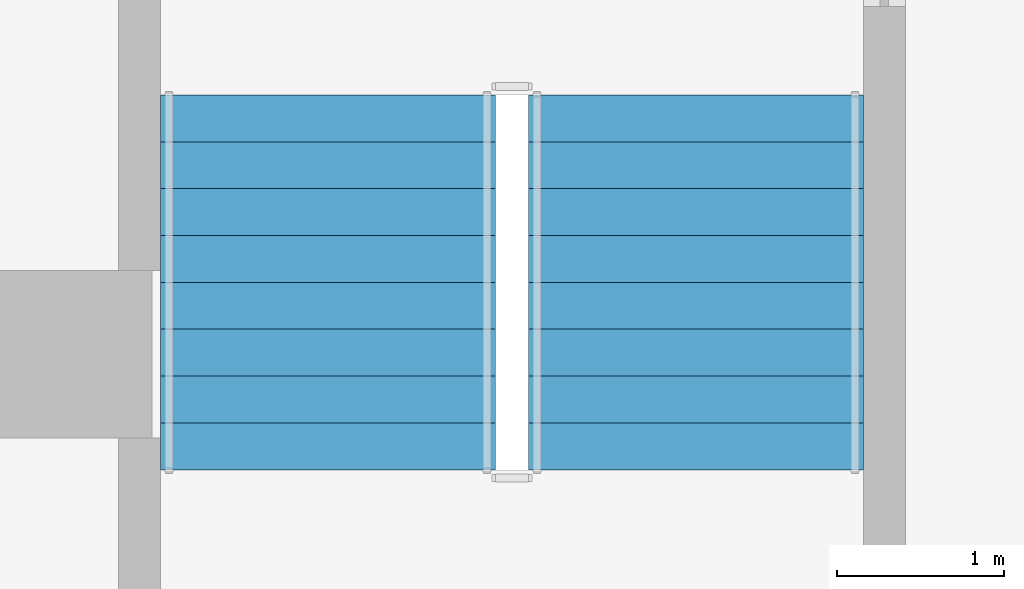
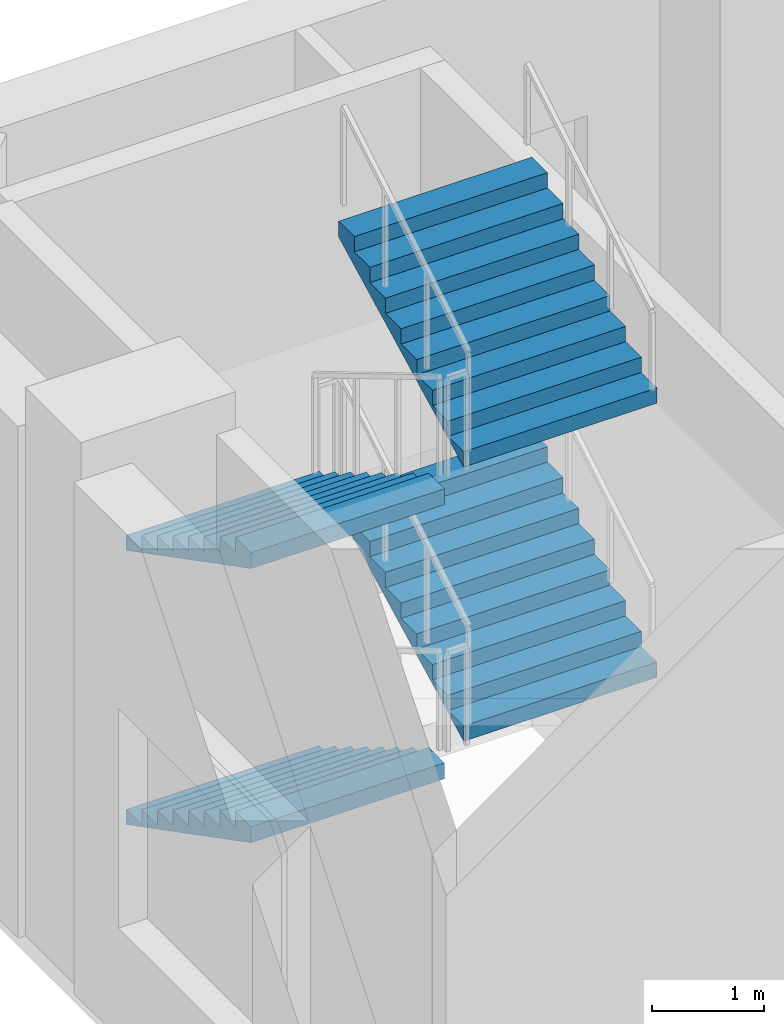
# One storey, part 14 of 19: 4 stair flights, 1 element without a shape of its own.
"""IFC4 building model written with IfcOpenShell, lengths in metres."""

from ifc_helpers import new_model, si_unit, direction, frame, origin, place, context, subcontext, project, spatial, triangles, material, type_object, element, aggregate, save


model = new_model("IFC4")

# Units and contexts
model_context = context("Model", 3, precision=1e-05, world=origin(), true_north=direction((0.0, 1.0)))
body_context = subcontext(model_context, "Body", "Model", "MODEL_VIEW")
ifc_project = project(units=[si_unit("LENGTHUNIT", "METRE"), si_unit("AREAUNIT", "SQUARE_METRE"), si_unit("VOLUMEUNIT", "CUBIC_METRE"), si_unit("PLANEANGLEUNIT", "RADIAN"), si_unit("MASSUNIT", "GRAM", prefix="KILO")], contexts=[model_context])

# Site, building, storey
site_placement = place(None, origin())
site = spatial("IfcSite", under=ifc_project, at=site_placement, CompositionType="ELEMENT")
building_placement = place(site_placement, origin())
building = spatial("IfcBuilding", under=site, at=building_placement, Name="Cypress Arch Tower", CompositionType="ELEMENT")
storey_placement = place(building_placement, frame((0.0, 0.0, 44.0)))
storey = spatial("IfcBuildingStorey", under=building, at=storey_placement, Name="L05", CompositionType="ELEMENT", Elevation=44.0)

# Stair, stair flights
ifc_material_1 = material(Name="Concrete C40/50", Category="concrete")
stair_type = type_object("IfcStairType", Name="Exit stair ES1667-200", PredefinedType="HALF_TURN_STAIR", material=ifc_material_1)
stair_placement = place(storey_placement, origin())
stair = element("IfcStair", 1, at=stair_placement, inside=storey, type_object=stair_type, Name="L05 Exit stair P2", PredefinedType="HALF_TURN_STAIR")
ifc_material_2 = material(Name="Concrete C40/50", Category="concrete")
stair_flight_type = type_object("IfcStairFlightType", Name="Exit stair flight ES1667-200", PredefinedType="STRAIGHT", material=ifc_material_2)
stair_flight_1_placement = place(storey_placement, frame((-36.5, 24.050048828125, 0.0), z_axis=(0.0, 0.0, 1.0), x_axis=(0.0, -1.0, 0.0)))
stair_flight_1 = element("IfcStairFlight", 2, at=stair_flight_1_placement, type_object=stair_flight_type, Name="P2 flight 1", NumberOfRisers=9, NumberOfTreads=8, PredefinedType="STRAIGHT", RiserHeight=0.166666667, TreadLength=0.28, context=body_context, shape_type="Tessellation", body=[
    triangles([(0.0, -1.0, 0.0), (0.000244140625, -1.0, 0.0185546875), (0.000244140625, -1.0, 0.037109375), (0.00048828125, -1.0, 0.0556640625), (0.00048828125, -1.0, 0.07421875), (0.00048828125, -1.0, 0.092529296875), (0.00048828125, -1.0, 0.111083984375), (0.000244140625, -1.0, 0.129638671875), (0.000244140625, -1.0, 0.148193359375), (0.0, -1.0, 0.166748046875), (0.280029296875, -1.0, 0.166748046875), (0.280029296875, -1.0, 0.333251953125), (0.56005859375, -1.0, 0.333251953125), (0.56005859375, -1.0, 0.5), (0.840087890625, -1.0, 0.5), (0.840087890625, -1.0, 0.666748046875), (1.1201171875, -1.0, 0.666748046875), (1.1201171875, -1.0, 0.833251953125), (1.39990234375, -1.0, 0.833251953125), (1.39990234375, -1.0, 1.0), (1.679931640625, -1.0, 1.0), (1.679931640625, -1.0, 1.166748046875), (1.9599609375, -1.0, 1.166748046875), (1.9599609375, -1.0, 1.333251953125), (2.239990234375, -1.0, 1.333251953125), (2.23974609375, -1.0, 1.31396484375), (2.23974609375, -1.0, 1.29443359375), (2.239501953125, -1.0, 1.275146484375), (2.239501953125, -1.0, 1.255859375), (2.239501953125, -1.0, 1.236328125), (2.239501953125, -1.0, 1.217041015625), (2.23974609375, -1.0, 1.19775390625), (2.23974609375, -1.0, 1.17822265625), (2.239990234375, -1.0, 1.158935546875), (2.239990234375, 1.0, 1.158935546875), (2.23974609375, 1.0, 1.17822265625), (2.23974609375, 1.0, 1.19775390625), (2.239501953125, 1.0, 1.217041015625), (2.239501953125, 1.0, 1.236328125), (2.239501953125, 1.0, 1.255859375), (2.239501953125, 1.0, 1.275146484375), (2.23974609375, 1.0, 1.29443359375), (2.23974609375, 1.0, 1.31396484375), (2.239990234375, 1.0, 1.333251953125), (1.9599609375, 1.0, 1.333251953125), (1.9599609375, 1.0, 1.166748046875), (1.679931640625, 1.0, 1.166748046875), (1.679931640625, 1.0, 1.0), (1.39990234375, 1.0, 1.0), (1.39990234375, 1.0, 0.833251953125), (1.1201171875, 1.0, 0.833251953125), (1.1201171875, 1.0, 0.666748046875), (0.840087890625, 1.0, 0.666748046875), (0.840087890625, 1.0, 0.5), (0.56005859375, 1.0, 0.5), (0.56005859375, 1.0, 0.333251953125), (0.280029296875, 1.0, 0.333251953125), (0.280029296875, 1.0, 0.166748046875), (0.0, 1.0, 0.166748046875), (0.000244140625, 1.0, 0.148193359375), (0.000244140625, 1.0, 0.129638671875), (0.00048828125, 1.0, 0.111083984375), (0.00048828125, 1.0, 0.092529296875), (0.00048828125, 1.0, 0.07421875), (0.00048828125, 1.0, 0.0556640625), (0.000244140625, 1.0, 0.037109375), (0.000244140625, 1.0, 0.0185546875), (0.0, 1.0, 0.0), (2.23974609375, 0.0, 1.17822265625), (2.239990234375, 0.0, 1.158935546875), (2.23974609375, 0.0, 1.19775390625), (2.239501953125, 0.0, 1.217041015625), (2.239501953125, 0.0, 1.236328125), (2.239501953125, 0.0, 1.255859375), (2.239501953125, 0.0, 1.275146484375), (2.23974609375, 0.0, 1.29443359375), (2.23974609375, 0.0, 1.31396484375), (2.239990234375, 0.0, 1.333251953125), (1.9599609375, 0.0, 1.333251953125), (1.9599609375, 0.0, 1.166748046875), (1.679931640625, 0.0, 1.166748046875), (1.679931640625, 0.0, 1.0), (1.39990234375, 0.0, 1.0), (1.39990234375, 0.0, 0.833251953125), (1.1201171875, 0.0, 0.833251953125), (1.1201171875, 0.0, 0.666748046875), (0.840087890625, 0.0, 0.666748046875), (0.840087890625, 0.0, 0.5), (0.56005859375, 0.0, 0.5), (0.56005859375, 0.0, 0.333251953125), (0.280029296875, 0.0, 0.333251953125), (0.280029296875, 0.0, 0.166748046875), (0.0, 0.0, 0.166748046875), (0.000244140625, 0.0, 0.148193359375), (0.000244140625, 0.0, 0.129638671875), (0.00048828125, 0.0, 0.111083984375), (0.00048828125, 0.0, 0.092529296875), (0.00048828125, 0.0, 0.07421875), (0.00048828125, 0.0, 0.0556640625), (0.000244140625, 0.0, 0.037109375), (0.000244140625, 0.0, 0.0185546875), (0.0, 0.0, 0.0)], [[34, 33, 24], [33, 32, 24], [32, 31, 24], [31, 30, 24], [30, 29, 24], [29, 28, 24], [28, 27, 24], [27, 26, 24], [26, 25, 24], [23, 22, 21], [21, 20, 19], [17, 16, 15], [15, 14, 13], [10, 9, 11], [9, 8, 11], [8, 7, 11], [7, 6, 11], [6, 5, 11], [5, 4, 11], [4, 3, 11], [3, 2, 11], [2, 1, 11], [19, 18, 17], [13, 12, 11], [34, 24, 23], [34, 23, 21], [34, 21, 19], [34, 19, 17], [34, 17, 15], [34, 15, 13], [1, 34, 13], [13, 11, 1], [35, 45, 36], [36, 45, 37], [37, 45, 38], [38, 45, 39], [39, 45, 40], [40, 45, 41], [41, 45, 42], [42, 45, 43], [43, 45, 44], [46, 48, 47], [48, 50, 49], [52, 54, 53], [54, 56, 55], [59, 58, 60], [60, 58, 61], [61, 58, 62], [62, 58, 63], [63, 58, 64], [64, 58, 65], [65, 58, 66], [66, 58, 67], [67, 58, 68], [50, 52, 51], [56, 58, 57], [35, 46, 45], [35, 48, 46], [35, 50, 48], [35, 52, 50], [35, 54, 52], [35, 56, 54], [68, 56, 35], [56, 68, 58], [70, 69, 33], [70, 33, 34], [35, 36, 69], [35, 69, 70], [69, 71, 32], [69, 32, 33], [36, 37, 71], [36, 71, 69], [71, 72, 31], [71, 31, 32], [37, 38, 72], [37, 72, 71], [72, 73, 30], [72, 30, 31], [38, 39, 73], [38, 73, 72], [73, 74, 29], [73, 29, 30], [39, 40, 74], [39, 74, 73], [74, 75, 28], [74, 28, 29], [40, 41, 75], [40, 75, 74], [75, 76, 27], [75, 27, 28], [41, 42, 76], [41, 76, 75], [76, 77, 26], [76, 26, 27], [42, 43, 77], [42, 77, 76], [77, 78, 25], [77, 25, 26], [43, 44, 78], [43, 78, 77], [78, 79, 24], [78, 24, 25], [44, 45, 79], [44, 79, 78], [79, 80, 23], [79, 23, 24], [45, 46, 80], [45, 80, 79], [80, 81, 22], [80, 22, 23], [46, 47, 81], [46, 81, 80], [81, 82, 21], [81, 21, 22], [47, 48, 82], [47, 82, 81], [82, 83, 20], [82, 20, 21], [48, 49, 83], [48, 83, 82], [83, 84, 19], [83, 19, 20], [49, 50, 84], [49, 84, 83], [84, 85, 18], [84, 18, 19], [50, 51, 85], [50, 85, 84], [85, 86, 17], [85, 17, 18], [51, 52, 86], [51, 86, 85], [86, 87, 16], [86, 16, 17], [52, 53, 87], [52, 87, 86], [87, 88, 15], [87, 15, 16], [53, 54, 88], [53, 88, 87], [88, 89, 14], [88, 14, 15], [54, 55, 89], [54, 89, 88], [89, 90, 13], [89, 13, 14], [55, 56, 90], [55, 90, 89], [90, 91, 12], [90, 12, 13], [56, 57, 91], [56, 91, 90], [91, 92, 11], [91, 11, 12], [57, 58, 92], [57, 92, 91], [92, 93, 10], [92, 10, 11], [58, 59, 93], [58, 93, 92], [93, 94, 9], [93, 9, 10], [59, 60, 94], [59, 94, 93], [94, 95, 8], [94, 8, 9], [60, 61, 95], [60, 95, 94], [95, 96, 7], [95, 7, 8], [61, 62, 96], [61, 96, 95], [96, 97, 6], [96, 6, 7], [62, 63, 97], [62, 97, 96], [97, 98, 5], [97, 5, 6], [63, 64, 98], [63, 98, 97], [98, 99, 4], [98, 4, 5], [64, 65, 99], [64, 99, 98], [99, 100, 3], [99, 3, 4], [65, 66, 100], [65, 100, 99], [100, 101, 2], [100, 2, 3], [66, 67, 101], [66, 101, 100], [101, 102, 1], [101, 1, 2], [67, 68, 102], [67, 102, 101], [102, 70, 34], [102, 34, 1], [68, 35, 70], [68, 70, 102]], closed=True),
])
stair_flight_2_placement = place(storey_placement, frame((-34.300048828125, 21.81005859375, 1.5), z_axis=(0.0, 0.0, 1.0), x_axis=(0.0, 1.0, 0.0)))
stair_flight_2 = element("IfcStairFlight", 3, at=stair_flight_2_placement, type_object=stair_flight_type, Name="P2 flight 2", NumberOfRisers=9, NumberOfTreads=8, PredefinedType="STRAIGHT", RiserHeight=0.166666667, TreadLength=0.28, context=body_context, shape_type="Tessellation", body=[
    triangles([(0.0, -1.0, 0.0), (0.000244140625, -1.0, 0.0185546875), (0.000244140625, -1.0, 0.037109375), (0.00048828125, -1.0, 0.0556640625), (0.00048828125, -1.0, 0.07421875), (0.00048828125, -1.0, 0.092529296875), (0.00048828125, -1.0, 0.111083984375), (0.000244140625, -1.0, 0.129638671875), (0.000244140625, -1.0, 0.148193359375), (0.0, -1.0, 0.166748046875), (0.280029296875, -1.0, 0.166748046875), (0.280029296875, -1.0, 0.333251953125), (0.56005859375, -1.0, 0.333251953125), (0.56005859375, -1.0, 0.5), (0.840087890625, -1.0, 0.5), (0.840087890625, -1.0, 0.666748046875), (1.1201171875, -1.0, 0.666748046875), (1.1201171875, -1.0, 0.833251953125), (1.39990234375, -1.0, 0.833251953125), (1.39990234375, -1.0, 1.0), (1.679931640625, -1.0, 1.0), (1.679931640625, -1.0, 1.166748046875), (1.9599609375, -1.0, 1.166748046875), (1.9599609375, -1.0, 1.333251953125), (2.239990234375, -1.0, 1.333251953125), (2.23974609375, -1.0, 1.31396484375), (2.23974609375, -1.0, 1.29443359375), (2.239501953125, -1.0, 1.275146484375), (2.239501953125, -1.0, 1.255859375), (2.239501953125, -1.0, 1.236328125), (2.239501953125, -1.0, 1.217041015625), (2.23974609375, -1.0, 1.19775390625), (2.23974609375, -1.0, 1.17822265625), (2.239990234375, -1.0, 1.158935546875), (2.239990234375, 1.0, 1.158935546875), (2.23974609375, 1.0, 1.17822265625), (2.23974609375, 1.0, 1.19775390625), (2.239501953125, 1.0, 1.217041015625), (2.239501953125, 1.0, 1.236328125), (2.239501953125, 1.0, 1.255859375), (2.239501953125, 1.0, 1.275146484375), (2.23974609375, 1.0, 1.29443359375), (2.23974609375, 1.0, 1.31396484375), (2.239990234375, 1.0, 1.333251953125), (1.9599609375, 1.0, 1.333251953125), (1.9599609375, 1.0, 1.166748046875), (1.679931640625, 1.0, 1.166748046875), (1.679931640625, 1.0, 1.0), (1.39990234375, 1.0, 1.0), (1.39990234375, 1.0, 0.833251953125), (1.1201171875, 1.0, 0.833251953125), (1.1201171875, 1.0, 0.666748046875), (0.840087890625, 1.0, 0.666748046875), (0.840087890625, 1.0, 0.5), (0.56005859375, 1.0, 0.5), (0.56005859375, 1.0, 0.333251953125), (0.280029296875, 1.0, 0.333251953125), (0.280029296875, 1.0, 0.166748046875), (0.0, 1.0, 0.166748046875), (0.000244140625, 1.0, 0.148193359375), (0.000244140625, 1.0, 0.129638671875), (0.00048828125, 1.0, 0.111083984375), (0.00048828125, 1.0, 0.092529296875), (0.00048828125, 1.0, 0.07421875), (0.00048828125, 1.0, 0.0556640625), (0.000244140625, 1.0, 0.037109375), (0.000244140625, 1.0, 0.0185546875), (0.0, 1.0, 0.0), (2.23974609375, 0.0, 1.17822265625), (2.239990234375, 0.0, 1.158935546875), (2.23974609375, 0.0, 1.19775390625), (2.239501953125, 0.0, 1.217041015625), (2.239501953125, 0.0, 1.236328125), (2.239501953125, 0.0, 1.255859375), (2.239501953125, 0.0, 1.275146484375), (2.23974609375, 0.0, 1.29443359375), (2.23974609375, 0.0, 1.31396484375), (2.239990234375, 0.0, 1.333251953125), (1.9599609375, 0.0, 1.333251953125), (1.9599609375, 0.0, 1.166748046875), (1.679931640625, 0.0, 1.166748046875), (1.679931640625, 0.0, 1.0), (1.39990234375, 0.0, 1.0), (1.39990234375, 0.0, 0.833251953125), (1.1201171875, 0.0, 0.833251953125), (1.1201171875, 0.0, 0.666748046875), (0.840087890625, 0.0, 0.666748046875), (0.840087890625, 0.0, 0.5), (0.56005859375, 0.0, 0.5), (0.56005859375, 0.0, 0.333251953125), (0.280029296875, 0.0, 0.333251953125), (0.280029296875, 0.0, 0.166748046875), (0.0, 0.0, 0.166748046875), (0.000244140625, 0.0, 0.148193359375), (0.000244140625, 0.0, 0.129638671875), (0.00048828125, 0.0, 0.111083984375), (0.00048828125, 0.0, 0.092529296875), (0.00048828125, 0.0, 0.07421875), (0.00048828125, 0.0, 0.0556640625), (0.000244140625, 0.0, 0.037109375), (0.000244140625, 0.0, 0.0185546875), (0.0, 0.0, 0.0)], [[34, 33, 24], [33, 32, 24], [32, 31, 24], [31, 30, 24], [30, 29, 24], [29, 28, 24], [28, 27, 24], [27, 26, 24], [26, 25, 24], [23, 22, 21], [21, 20, 19], [17, 16, 15], [15, 14, 13], [10, 9, 11], [9, 8, 11], [8, 7, 11], [7, 6, 11], [6, 5, 11], [5, 4, 11], [4, 3, 11], [3, 2, 11], [2, 1, 11], [19, 18, 17], [13, 12, 11], [34, 24, 23], [34, 23, 21], [34, 21, 19], [34, 19, 17], [34, 17, 15], [34, 15, 13], [1, 34, 13], [13, 11, 1], [35, 45, 36], [36, 45, 37], [37, 45, 38], [38, 45, 39], [39, 45, 40], [40, 45, 41], [41, 45, 42], [42, 45, 43], [43, 45, 44], [46, 48, 47], [48, 50, 49], [52, 54, 53], [54, 56, 55], [59, 58, 60], [60, 58, 61], [61, 58, 62], [62, 58, 63], [63, 58, 64], [64, 58, 65], [65, 58, 66], [66, 58, 67], [67, 58, 68], [50, 52, 51], [56, 58, 57], [35, 46, 45], [35, 48, 46], [35, 50, 48], [35, 52, 50], [35, 54, 52], [35, 56, 54], [68, 56, 35], [56, 68, 58], [70, 69, 33], [70, 33, 34], [35, 36, 69], [35, 69, 70], [69, 71, 32], [69, 32, 33], [36, 37, 71], [36, 71, 69], [71, 72, 31], [71, 31, 32], [37, 38, 72], [37, 72, 71], [72, 73, 30], [72, 30, 31], [38, 39, 73], [38, 73, 72], [73, 74, 29], [73, 29, 30], [39, 40, 74], [39, 74, 73], [74, 75, 28], [74, 28, 29], [40, 41, 75], [40, 75, 74], [75, 76, 27], [75, 27, 28], [41, 42, 76], [41, 76, 75], [76, 77, 26], [76, 26, 27], [42, 43, 77], [42, 77, 76], [77, 78, 25], [77, 25, 26], [43, 44, 78], [43, 78, 77], [78, 79, 24], [78, 24, 25], [44, 45, 79], [44, 79, 78], [79, 80, 23], [79, 23, 24], [45, 46, 80], [45, 80, 79], [80, 81, 22], [80, 22, 23], [46, 47, 81], [46, 81, 80], [81, 82, 21], [81, 21, 22], [47, 48, 82], [47, 82, 81], [82, 83, 20], [82, 20, 21], [48, 49, 83], [48, 83, 82], [83, 84, 19], [83, 19, 20], [49, 50, 84], [49, 84, 83], [84, 85, 18], [84, 18, 19], [50, 51, 85], [50, 85, 84], [85, 86, 17], [85, 17, 18], [51, 52, 86], [51, 86, 85], [86, 87, 16], [86, 16, 17], [52, 53, 87], [52, 87, 86], [87, 88, 15], [87, 15, 16], [53, 54, 88], [53, 88, 87], [88, 89, 14], [88, 14, 15], [54, 55, 89], [54, 89, 88], [89, 90, 13], [89, 13, 14], [55, 56, 90], [55, 90, 89], [90, 91, 12], [90, 12, 13], [56, 57, 91], [56, 91, 90], [91, 92, 11], [91, 11, 12], [57, 58, 92], [57, 92, 91], [92, 93, 10], [92, 10, 11], [58, 59, 93], [58, 93, 92], [93, 94, 9], [93, 9, 10], [59, 60, 94], [59, 94, 93], [94, 95, 8], [94, 8, 9], [60, 61, 95], [60, 95, 94], [95, 96, 7], [95, 7, 8], [61, 62, 96], [61, 96, 95], [96, 97, 6], [96, 6, 7], [62, 63, 97], [62, 97, 96], [97, 98, 5], [97, 5, 6], [63, 64, 98], [63, 98, 97], [98, 99, 4], [98, 4, 5], [64, 65, 99], [64, 99, 98], [99, 100, 3], [99, 3, 4], [65, 66, 100], [65, 100, 99], [100, 101, 2], [100, 2, 3], [66, 67, 101], [66, 101, 100], [101, 102, 1], [101, 1, 2], [67, 68, 102], [67, 102, 101], [102, 70, 34], [102, 34, 1], [68, 35, 70], [68, 70, 102]], closed=True),
])
stair_flight_3_placement = place(storey_placement, frame((-36.5, 24.050048828125, 3.0), z_axis=(0.0, 0.0, 1.0), x_axis=(0.0, -1.0, 0.0)))
stair_flight_3 = element("IfcStairFlight", 4, at=stair_flight_3_placement, type_object=stair_flight_type, Name="P2 flight 3", NumberOfRisers=9, NumberOfTreads=8, PredefinedType="STRAIGHT", RiserHeight=0.166666667, TreadLength=0.28, context=body_context, shape_type="Tessellation", body=[
    triangles([(0.0, -1.0, 0.0), (0.000244140625, -1.0, 0.0185546875), (0.000244140625, -1.0, 0.037109375), (0.00048828125, -1.0, 0.0556640625), (0.00048828125, -1.0, 0.07421875), (0.00048828125, -1.0, 0.092529296875), (0.00048828125, -1.0, 0.111083984375), (0.000244140625, -1.0, 0.129638671875), (0.000244140625, -1.0, 0.148193359375), (0.0, -1.0, 0.166748046875), (0.280029296875, -1.0, 0.166748046875), (0.280029296875, -1.0, 0.333251953125), (0.56005859375, -1.0, 0.333251953125), (0.56005859375, -1.0, 0.5), (0.840087890625, -1.0, 0.5), (0.840087890625, -1.0, 0.666748046875), (1.1201171875, -1.0, 0.666748046875), (1.1201171875, -1.0, 0.833251953125), (1.39990234375, -1.0, 0.833251953125), (1.39990234375, -1.0, 1.0), (1.679931640625, -1.0, 1.0), (1.679931640625, -1.0, 1.166748046875), (1.9599609375, -1.0, 1.166748046875), (1.9599609375, -1.0, 1.333251953125), (2.239990234375, -1.0, 1.333251953125), (2.23974609375, -1.0, 1.31396484375), (2.23974609375, -1.0, 1.29443359375), (2.239501953125, -1.0, 1.275146484375), (2.239501953125, -1.0, 1.255859375), (2.239501953125, -1.0, 1.236328125), (2.239501953125, -1.0, 1.217041015625), (2.23974609375, -1.0, 1.19775390625), (2.23974609375, -1.0, 1.17822265625), (2.239990234375, -1.0, 1.158935546875), (2.239990234375, 1.0, 1.158935546875), (2.23974609375, 1.0, 1.17822265625), (2.23974609375, 1.0, 1.19775390625), (2.239501953125, 1.0, 1.217041015625), (2.239501953125, 1.0, 1.236328125), (2.239501953125, 1.0, 1.255859375), (2.239501953125, 1.0, 1.275146484375), (2.23974609375, 1.0, 1.29443359375), (2.23974609375, 1.0, 1.31396484375), (2.239990234375, 1.0, 1.333251953125), (1.9599609375, 1.0, 1.333251953125), (1.9599609375, 1.0, 1.166748046875), (1.679931640625, 1.0, 1.166748046875), (1.679931640625, 1.0, 1.0), (1.39990234375, 1.0, 1.0), (1.39990234375, 1.0, 0.833251953125), (1.1201171875, 1.0, 0.833251953125), (1.1201171875, 1.0, 0.666748046875), (0.840087890625, 1.0, 0.666748046875), (0.840087890625, 1.0, 0.5), (0.56005859375, 1.0, 0.5), (0.56005859375, 1.0, 0.333251953125), (0.280029296875, 1.0, 0.333251953125), (0.280029296875, 1.0, 0.166748046875), (0.0, 1.0, 0.166748046875), (0.000244140625, 1.0, 0.148193359375), (0.000244140625, 1.0, 0.129638671875), (0.00048828125, 1.0, 0.111083984375), (0.00048828125, 1.0, 0.092529296875), (0.00048828125, 1.0, 0.07421875), (0.00048828125, 1.0, 0.0556640625), (0.000244140625, 1.0, 0.037109375), (0.000244140625, 1.0, 0.0185546875), (0.0, 1.0, 0.0), (2.23974609375, 0.0, 1.17822265625), (2.239990234375, 0.0, 1.158935546875), (2.23974609375, 0.0, 1.19775390625), (2.239501953125, 0.0, 1.217041015625), (2.239501953125, 0.0, 1.236328125), (2.239501953125, 0.0, 1.255859375), (2.239501953125, 0.0, 1.275146484375), (2.23974609375, 0.0, 1.29443359375), (2.23974609375, 0.0, 1.31396484375), (2.239990234375, 0.0, 1.333251953125), (1.9599609375, 0.0, 1.333251953125), (1.9599609375, 0.0, 1.166748046875), (1.679931640625, 0.0, 1.166748046875), (1.679931640625, 0.0, 1.0), (1.39990234375, 0.0, 1.0), (1.39990234375, 0.0, 0.833251953125), (1.1201171875, 0.0, 0.833251953125), (1.1201171875, 0.0, 0.666748046875), (0.840087890625, 0.0, 0.666748046875), (0.840087890625, 0.0, 0.5), (0.56005859375, 0.0, 0.5), (0.56005859375, 0.0, 0.333251953125), (0.280029296875, 0.0, 0.333251953125), (0.280029296875, 0.0, 0.166748046875), (0.0, 0.0, 0.166748046875), (0.000244140625, 0.0, 0.148193359375), (0.000244140625, 0.0, 0.129638671875), (0.00048828125, 0.0, 0.111083984375), (0.00048828125, 0.0, 0.092529296875), (0.00048828125, 0.0, 0.07421875), (0.00048828125, 0.0, 0.0556640625), (0.000244140625, 0.0, 0.037109375), (0.000244140625, 0.0, 0.0185546875), (0.0, 0.0, 0.0)], [[34, 33, 24], [33, 32, 24], [32, 31, 24], [31, 30, 24], [30, 29, 24], [29, 28, 24], [28, 27, 24], [27, 26, 24], [26, 25, 24], [23, 22, 21], [21, 20, 19], [17, 16, 15], [15, 14, 13], [10, 9, 11], [9, 8, 11], [8, 7, 11], [7, 6, 11], [6, 5, 11], [5, 4, 11], [4, 3, 11], [3, 2, 11], [2, 1, 11], [19, 18, 17], [13, 12, 11], [34, 24, 23], [34, 23, 21], [34, 21, 19], [34, 19, 17], [34, 17, 15], [34, 15, 13], [1, 34, 13], [13, 11, 1], [35, 45, 36], [36, 45, 37], [37, 45, 38], [38, 45, 39], [39, 45, 40], [40, 45, 41], [41, 45, 42], [42, 45, 43], [43, 45, 44], [46, 48, 47], [48, 50, 49], [52, 54, 53], [54, 56, 55], [59, 58, 60], [60, 58, 61], [61, 58, 62], [62, 58, 63], [63, 58, 64], [64, 58, 65], [65, 58, 66], [66, 58, 67], [67, 58, 68], [50, 52, 51], [56, 58, 57], [35, 46, 45], [35, 48, 46], [35, 50, 48], [35, 52, 50], [35, 54, 52], [35, 56, 54], [68, 56, 35], [56, 68, 58], [70, 69, 33], [70, 33, 34], [35, 36, 69], [35, 69, 70], [69, 71, 32], [69, 32, 33], [36, 37, 71], [36, 71, 69], [71, 72, 31], [71, 31, 32], [37, 38, 72], [37, 72, 71], [72, 73, 30], [72, 30, 31], [38, 39, 73], [38, 73, 72], [73, 74, 29], [73, 29, 30], [39, 40, 74], [39, 74, 73], [74, 75, 28], [74, 28, 29], [40, 41, 75], [40, 75, 74], [75, 76, 27], [75, 27, 28], [41, 42, 76], [41, 76, 75], [76, 77, 26], [76, 26, 27], [42, 43, 77], [42, 77, 76], [77, 78, 25], [77, 25, 26], [43, 44, 78], [43, 78, 77], [78, 79, 24], [78, 24, 25], [44, 45, 79], [44, 79, 78], [79, 80, 23], [79, 23, 24], [45, 46, 80], [45, 80, 79], [80, 81, 22], [80, 22, 23], [46, 47, 81], [46, 81, 80], [81, 82, 21], [81, 21, 22], [47, 48, 82], [47, 82, 81], [82, 83, 20], [82, 20, 21], [48, 49, 83], [48, 83, 82], [83, 84, 19], [83, 19, 20], [49, 50, 84], [49, 84, 83], [84, 85, 18], [84, 18, 19], [50, 51, 85], [50, 85, 84], [85, 86, 17], [85, 17, 18], [51, 52, 86], [51, 86, 85], [86, 87, 16], [86, 16, 17], [52, 53, 87], [52, 87, 86], [87, 88, 15], [87, 15, 16], [53, 54, 88], [53, 88, 87], [88, 89, 14], [88, 14, 15], [54, 55, 89], [54, 89, 88], [89, 90, 13], [89, 13, 14], [55, 56, 90], [55, 90, 89], [90, 91, 12], [90, 12, 13], [56, 57, 91], [56, 91, 90], [91, 92, 11], [91, 11, 12], [57, 58, 92], [57, 92, 91], [92, 93, 10], [92, 10, 11], [58, 59, 93], [58, 93, 92], [93, 94, 9], [93, 9, 10], [59, 60, 94], [59, 94, 93], [94, 95, 8], [94, 8, 9], [60, 61, 95], [60, 95, 94], [95, 96, 7], [95, 7, 8], [61, 62, 96], [61, 96, 95], [96, 97, 6], [96, 6, 7], [62, 63, 97], [62, 97, 96], [97, 98, 5], [97, 5, 6], [63, 64, 98], [63, 98, 97], [98, 99, 4], [98, 4, 5], [64, 65, 99], [64, 99, 98], [99, 100, 3], [99, 3, 4], [65, 66, 100], [65, 100, 99], [100, 101, 2], [100, 2, 3], [66, 67, 101], [66, 101, 100], [101, 102, 1], [101, 1, 2], [67, 68, 102], [67, 102, 101], [102, 70, 34], [102, 34, 1], [68, 35, 70], [68, 70, 102]], closed=True),
])
stair_flight_4_placement = place(storey_placement, frame((-34.300048828125, 21.81005859375, 4.5), z_axis=(0.0, 0.0, 1.0), x_axis=(0.0, 1.0, 0.0)))
stair_flight_4 = element("IfcStairFlight", 5, at=stair_flight_4_placement, type_object=stair_flight_type, Name="P2 flight 4", NumberOfRisers=9, NumberOfTreads=8, PredefinedType="STRAIGHT", RiserHeight=0.166666667, TreadLength=0.28, context=body_context, shape_type="Tessellation", body=[
    triangles([(0.0, -1.0, 0.0), (0.000244140625, -1.0, 0.0185546875), (0.000244140625, -1.0, 0.037109375), (0.00048828125, -1.0, 0.0556640625), (0.00048828125, -1.0, 0.07421875), (0.00048828125, -1.0, 0.092529296875), (0.00048828125, -1.0, 0.111083984375), (0.000244140625, -1.0, 0.129638671875), (0.000244140625, -1.0, 0.148193359375), (0.0, -1.0, 0.166748046875), (0.280029296875, -1.0, 0.166748046875), (0.280029296875, -1.0, 0.333251953125), (0.56005859375, -1.0, 0.333251953125), (0.56005859375, -1.0, 0.5), (0.840087890625, -1.0, 0.5), (0.840087890625, -1.0, 0.666748046875), (1.1201171875, -1.0, 0.666748046875), (1.1201171875, -1.0, 0.833251953125), (1.39990234375, -1.0, 0.833251953125), (1.39990234375, -1.0, 1.0), (1.679931640625, -1.0, 1.0), (1.679931640625, -1.0, 1.166748046875), (1.9599609375, -1.0, 1.166748046875), (1.9599609375, -1.0, 1.333251953125), (2.239990234375, -1.0, 1.333251953125), (2.23974609375, -1.0, 1.31396484375), (2.23974609375, -1.0, 1.29443359375), (2.239501953125, -1.0, 1.275146484375), (2.239501953125, -1.0, 1.255859375), (2.239501953125, -1.0, 1.236328125), (2.239501953125, -1.0, 1.217041015625), (2.23974609375, -1.0, 1.19775390625), (2.23974609375, -1.0, 1.17822265625), (2.239990234375, -1.0, 1.158935546875), (2.239990234375, 1.0, 1.158935546875), (2.23974609375, 1.0, 1.17822265625), (2.23974609375, 1.0, 1.19775390625), (2.239501953125, 1.0, 1.217041015625), (2.239501953125, 1.0, 1.236328125), (2.239501953125, 1.0, 1.255859375), (2.239501953125, 1.0, 1.275146484375), (2.23974609375, 1.0, 1.29443359375), (2.23974609375, 1.0, 1.31396484375), (2.239990234375, 1.0, 1.333251953125), (1.9599609375, 1.0, 1.333251953125), (1.9599609375, 1.0, 1.166748046875), (1.679931640625, 1.0, 1.166748046875), (1.679931640625, 1.0, 1.0), (1.39990234375, 1.0, 1.0), (1.39990234375, 1.0, 0.833251953125), (1.1201171875, 1.0, 0.833251953125), (1.1201171875, 1.0, 0.666748046875), (0.840087890625, 1.0, 0.666748046875), (0.840087890625, 1.0, 0.5), (0.56005859375, 1.0, 0.5), (0.56005859375, 1.0, 0.333251953125), (0.280029296875, 1.0, 0.333251953125), (0.280029296875, 1.0, 0.166748046875), (0.0, 1.0, 0.166748046875), (0.000244140625, 1.0, 0.148193359375), (0.000244140625, 1.0, 0.129638671875), (0.00048828125, 1.0, 0.111083984375), (0.00048828125, 1.0, 0.092529296875), (0.00048828125, 1.0, 0.07421875), (0.00048828125, 1.0, 0.0556640625), (0.000244140625, 1.0, 0.037109375), (0.000244140625, 1.0, 0.0185546875), (0.0, 1.0, 0.0), (2.23974609375, 0.0, 1.17822265625), (2.239990234375, 0.0, 1.158935546875), (2.23974609375, 0.0, 1.19775390625), (2.239501953125, 0.0, 1.217041015625), (2.239501953125, 0.0, 1.236328125), (2.239501953125, 0.0, 1.255859375), (2.239501953125, 0.0, 1.275146484375), (2.23974609375, 0.0, 1.29443359375), (2.23974609375, 0.0, 1.31396484375), (2.239990234375, 0.0, 1.333251953125), (1.9599609375, 0.0, 1.333251953125), (1.9599609375, 0.0, 1.166748046875), (1.679931640625, 0.0, 1.166748046875), (1.679931640625, 0.0, 1.0), (1.39990234375, 0.0, 1.0), (1.39990234375, 0.0, 0.833251953125), (1.1201171875, 0.0, 0.833251953125), (1.1201171875, 0.0, 0.666748046875), (0.840087890625, 0.0, 0.666748046875), (0.840087890625, 0.0, 0.5), (0.56005859375, 0.0, 0.5), (0.56005859375, 0.0, 0.333251953125), (0.280029296875, 0.0, 0.333251953125), (0.280029296875, 0.0, 0.166748046875), (0.0, 0.0, 0.166748046875), (0.000244140625, 0.0, 0.148193359375), (0.000244140625, 0.0, 0.129638671875), (0.00048828125, 0.0, 0.111083984375), (0.00048828125, 0.0, 0.092529296875), (0.00048828125, 0.0, 0.07421875), (0.00048828125, 0.0, 0.0556640625), (0.000244140625, 0.0, 0.037109375), (0.000244140625, 0.0, 0.0185546875), (0.0, 0.0, 0.0)], [[34, 33, 24], [33, 32, 24], [32, 31, 24], [31, 30, 24], [30, 29, 24], [29, 28, 24], [28, 27, 24], [27, 26, 24], [26, 25, 24], [23, 22, 21], [21, 20, 19], [17, 16, 15], [15, 14, 13], [10, 9, 11], [9, 8, 11], [8, 7, 11], [7, 6, 11], [6, 5, 11], [5, 4, 11], [4, 3, 11], [3, 2, 11], [2, 1, 11], [19, 18, 17], [13, 12, 11], [34, 24, 23], [34, 23, 21], [34, 21, 19], [34, 19, 17], [34, 17, 15], [34, 15, 13], [1, 34, 13], [13, 11, 1], [35, 45, 36], [36, 45, 37], [37, 45, 38], [38, 45, 39], [39, 45, 40], [40, 45, 41], [41, 45, 42], [42, 45, 43], [43, 45, 44], [46, 48, 47], [48, 50, 49], [52, 54, 53], [54, 56, 55], [59, 58, 60], [60, 58, 61], [61, 58, 62], [62, 58, 63], [63, 58, 64], [64, 58, 65], [65, 58, 66], [66, 58, 67], [67, 58, 68], [50, 52, 51], [56, 58, 57], [35, 46, 45], [35, 48, 46], [35, 50, 48], [35, 52, 50], [35, 54, 52], [35, 56, 54], [68, 56, 35], [56, 68, 58], [70, 69, 33], [70, 33, 34], [35, 36, 69], [35, 69, 70], [69, 71, 32], [69, 32, 33], [36, 37, 71], [36, 71, 69], [71, 72, 31], [71, 31, 32], [37, 38, 72], [37, 72, 71], [72, 73, 30], [72, 30, 31], [38, 39, 73], [38, 73, 72], [73, 74, 29], [73, 29, 30], [39, 40, 74], [39, 74, 73], [74, 75, 28], [74, 28, 29], [40, 41, 75], [40, 75, 74], [75, 76, 27], [75, 27, 28], [41, 42, 76], [41, 76, 75], [76, 77, 26], [76, 26, 27], [42, 43, 77], [42, 77, 76], [77, 78, 25], [77, 25, 26], [43, 44, 78], [43, 78, 77], [78, 79, 24], [78, 24, 25], [44, 45, 79], [44, 79, 78], [79, 80, 23], [79, 23, 24], [45, 46, 80], [45, 80, 79], [80, 81, 22], [80, 22, 23], [46, 47, 81], [46, 81, 80], [81, 82, 21], [81, 21, 22], [47, 48, 82], [47, 82, 81], [82, 83, 20], [82, 20, 21], [48, 49, 83], [48, 83, 82], [83, 84, 19], [83, 19, 20], [49, 50, 84], [49, 84, 83], [84, 85, 18], [84, 18, 19], [50, 51, 85], [50, 85, 84], [85, 86, 17], [85, 17, 18], [51, 52, 86], [51, 86, 85], [86, 87, 16], [86, 16, 17], [52, 53, 87], [52, 87, 86], [87, 88, 15], [87, 15, 16], [53, 54, 88], [53, 88, 87], [88, 89, 14], [88, 14, 15], [54, 55, 89], [54, 89, 88], [89, 90, 13], [89, 13, 14], [55, 56, 90], [55, 90, 89], [90, 91, 12], [90, 12, 13], [56, 57, 91], [56, 91, 90], [91, 92, 11], [91, 11, 12], [57, 58, 92], [57, 92, 91], [92, 93, 10], [92, 10, 11], [58, 59, 93], [58, 93, 92], [93, 94, 9], [93, 9, 10], [59, 60, 94], [59, 94, 93], [94, 95, 8], [94, 8, 9], [60, 61, 95], [60, 95, 94], [95, 96, 7], [95, 7, 8], [61, 62, 96], [61, 96, 95], [96, 97, 6], [96, 6, 7], [62, 63, 97], [62, 97, 96], [97, 98, 5], [97, 5, 6], [63, 64, 98], [63, 98, 97], [98, 99, 4], [98, 4, 5], [64, 65, 99], [64, 99, 98], [99, 100, 3], [99, 3, 4], [65, 66, 100], [65, 100, 99], [100, 101, 2], [100, 2, 3], [66, 67, 101], [66, 101, 100], [101, 102, 1], [101, 1, 2], [67, 68, 102], [67, 102, 101], [102, 70, 34], [102, 34, 1], [68, 35, 70], [68, 70, 102]], closed=True),
])
aggregate(stair, [stair_flight_1, stair_flight_2, stair_flight_3, stair_flight_4])

save(model, "model.ifc")
